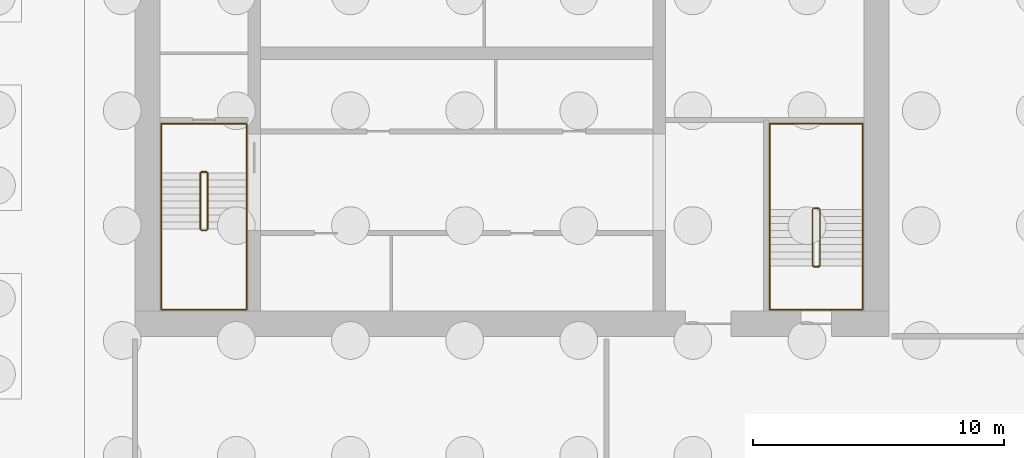
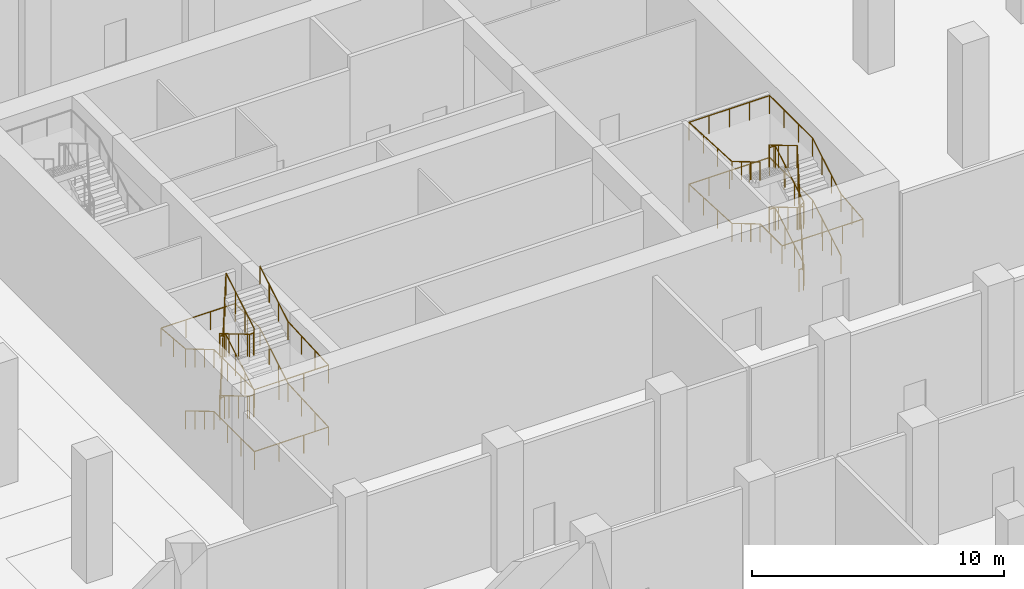
# One storey, part 27 of 39: 4 railings.
"""IFC4 building model written with IfcOpenShell, lengths in metres."""

from ifc_helpers import new_model, si_unit, direction, frame, origin, origin_2d, place, context, subcontext, project, spatial, circle, extrude, material, type_object, element, save


model = new_model("IFC4")

# Units and contexts
model_context = context("Model", 3, precision=1e-05, world=origin(), true_north=direction((0.0, 1.0)))
body_context = subcontext(model_context, "Body", "Model", "MODEL_VIEW")
ifc_project = project(units=[si_unit("LENGTHUNIT", "METRE"), si_unit("AREAUNIT", "SQUARE_METRE"), si_unit("VOLUMEUNIT", "CUBIC_METRE"), si_unit("PLANEANGLEUNIT", "RADIAN"), si_unit("MASSUNIT", "GRAM", prefix="KILO")], contexts=[model_context])

# Site, building, storey
site_placement = place(None, origin())
site = spatial("IfcSite", under=ifc_project, at=site_placement, CompositionType="ELEMENT")
building_placement = place(site_placement, origin())
building = spatial("IfcBuilding", under=site, at=building_placement, Name="Tamorin Gate", CompositionType="ELEMENT")
storey_placement = place(building_placement, frame((0.0, 0.0, -12.0)))
storey = spatial("IfcBuildingStorey", under=building, at=storey_placement, Name="B2", CompositionType="ELEMENT", Elevation=-12.0)

# Railings
ifc_material_1 = material(Name="Painted steel balustrade", Category="steel")
railing_type_1 = type_object("IfcRailingType", Name="Stair guard 1100", PredefinedType="GUARDRAIL", material=ifc_material_1)
railing_1_placement = place(storey_placement, frame((32.60009765625, 66.5, 0.166748046875)))
element("IfcRailing", 1, at=railing_1_placement, inside=storey, type_object=railing_type_1, Name="B2 ST1 stair guard 1", PredefinedType="GUARDRAIL", context=body_context, shape_type="SweptSolid", body=[
    extrude(circle(Radius=0.02392578125, at=origin_2d()), frame((0.0, 0.0, 1.076171875), z_axis=(0.0, -0.859305625298, 0.511462454469), x_axis=(1.0, 0.0, 0.0)), (0.0, 0.0, 1.0), 2.606689453125),
    extrude(circle(Radius=0.02392578125, at=origin_2d()), frame((0.0, -2.239990234375, 2.4091796875), z_axis=(0.705375805398, -0.708833529934, 0.0), x_axis=(0.708833529934, 0.705375805398, 0.0)), (0.0, 0.0, 1.0), 0.070556640625),
    extrude(circle(Radius=0.02392578125, at=origin_2d()), frame((0.0498046875, -2.2900390625, 2.4091796875), z_axis=(1.0, 0.0, 0.0), x_axis=(0.0, 1.0, 0.0)), (0.0, 0.0, 1.0), 0.2001953125),
    extrude(circle(Radius=0.02392578125, at=origin_2d()), frame((0.25, -2.2900390625, 2.4091796875), z_axis=(0.275041040955, 0.276389281352, 0.920848191041), x_axis=(-0.708833529934, 0.705375805398, 0.0)), (0.0, 0.0, 1.0), 0.18115234375),
    extrude(circle(Radius=0.02392578125, at=origin_2d()), frame((0.2998046875, -2.239990234375, 2.576171875), z_axis=(0.0, 0.859305625298, 0.511462454469), x_axis=(-1.0, 0.0, 0.0)), (0.0, 0.0, 1.0), 2.606689453125),
    extrude(circle(Radius=0.02392578125, at=origin_2d()), frame((0.2998046875, 0.0, 3.9091796875), z_axis=(-0.98054382908, 0.196300278283, 0.0), x_axis=(-0.196300278283, -0.98054382908, 0.0)), (0.0, 0.0, 1.0), 0.2548828125),
    extrude(circle(Radius=0.02392578125, at=origin_2d()), frame((0.0498046875, 0.050048828125, 3.9091796875), z_axis=(1.0, 0.0, 0.0), x_axis=(0.0, 1.0, 0.0)), (0.0, 0.0, 1.0), 0.2001953125),
    extrude(circle(Radius=0.02392578125, at=origin_2d()), frame((0.25, 0.050048828125, 3.9091796875), z_axis=(-0.820621892478, -0.164284656209, 0.547348391174), x_axis=(0.196300278283, -0.98054382908, 0.0)), (0.0, 0.0, 1.0), 0.3046875),
    extrude(circle(Radius=0.02392578125, at=origin_2d()), frame((0.0, 0.0, 4.076171875), z_axis=(0.0, -0.859305625298, 0.511462454469), x_axis=(1.0, 0.0, 0.0)), (0.0, 0.0, 1.0), 2.606689453125),
    extrude(circle(Radius=0.02392578125, at=origin_2d()), frame((0.0, -2.239990234375, 5.4091796875), z_axis=(0.705375805398, -0.708833529934, 0.0), x_axis=(0.708833529934, 0.705375805398, 0.0)), (0.0, 0.0, 1.0), 0.070556640625),
    extrude(circle(Radius=0.02392578125, at=origin_2d()), frame((0.0498046875, -2.2900390625, 5.4091796875), z_axis=(1.0, 0.0, 0.0), x_axis=(0.0, 1.0, 0.0)), (0.0, 0.0, 1.0), 0.2001953125),
    extrude(circle(Radius=0.02392578125, at=origin_2d()), frame((0.25, -2.2900390625, 5.4091796875), z_axis=(0.275041040955, 0.276389281352, 0.920848191041), x_axis=(-0.708833529934, 0.705375805398, 0.0)), (0.0, 0.0, 1.0), 0.18115234375),
    extrude(circle(Radius=0.02392578125, at=origin_2d()), frame((0.2998046875, -2.239990234375, 5.576171875), z_axis=(0.0, 0.859305625298, 0.511462454469), x_axis=(-1.0, 0.0, 0.0)), (0.0, 0.0, 1.0), 2.606689453125),
    extrude(circle(Radius=0.02392578125, at=origin_2d()), frame((0.2998046875, 0.0, 6.9091796875), z_axis=(-0.041629098968, 0.008333950477, -0.999098375231), x_axis=(-0.196300278283, -0.98054382908, 0.0)), (0.0, 0.0, 1.0), 6.00537109375),
    extrude(circle(Radius=0.02392578125, at=origin_2d()), frame((0.0498046875, 0.050048828125, 0.9091796875), z_axis=(1.0, 0.0, 0.0), x_axis=(0.0, 1.0, 0.0)), (0.0, 0.0, 1.0), 0.2001953125),
    extrude(circle(Radius=0.02099609375, at=origin_2d()), origin(), (0.0, 0.0, 1.0), 1.052001953125),
    extrude(circle(Radius=0.02099609375, at=origin_2d()), frame((0.0, -0.74658203125, 0.4443359375)), (0.0, 0.0, 1.0), 1.052001953125),
    extrude(circle(Radius=0.02099609375, at=origin_2d()), frame((0.0, -1.493408203125, 0.888916015625)), (0.0, 0.0, 1.0), 1.052001953125),
    extrude(circle(Radius=0.02099609375, at=origin_2d()), frame((0.0, -2.239990234375, 1.333251953125)), (0.0, 0.0, 1.0), 1.052001953125),
    extrude(circle(Radius=0.02099609375, at=origin_2d()), frame((0.0498046875, -2.2900390625, 1.333251953125)), (0.0, 0.0, 1.0), 1.052001953125),
    extrude(circle(Radius=0.02099609375, at=origin_2d()), frame((0.25, -2.2900390625, 1.333251953125)), (0.0, 0.0, 1.0), 1.052001953125),
    extrude(circle(Radius=0.02099609375, at=origin_2d()), frame((0.2998046875, -2.239990234375, 1.5)), (0.0, 0.0, 1.0), 1.052001953125),
    extrude(circle(Radius=0.02099609375, at=origin_2d()), frame((0.2998046875, -1.493408203125, 1.9443359375)), (0.0, 0.0, 1.0), 1.052001953125),
    extrude(circle(Radius=0.02099609375, at=origin_2d()), frame((0.2998046875, -0.74658203125, 2.388916015625)), (0.0, 0.0, 1.0), 1.052001953125),
    extrude(circle(Radius=0.02099609375, at=origin_2d()), frame((0.2998046875, 0.0, 2.833251953125)), (0.0, 0.0, 1.0), 1.052001953125),
    extrude(circle(Radius=0.02099609375, at=origin_2d()), frame((0.0498046875, 0.050048828125, 2.833251953125)), (0.0, 0.0, 1.0), 1.052001953125),
    extrude(circle(Radius=0.02099609375, at=origin_2d()), frame((0.25, 0.050048828125, 2.833251953125)), (0.0, 0.0, 1.0), 1.052001953125),
    extrude(circle(Radius=0.02099609375, at=origin_2d()), frame((0.0, 0.0, 3.0)), (0.0, 0.0, 1.0), 1.052001953125),
    extrude(circle(Radius=0.02099609375, at=origin_2d()), frame((0.0, -0.74658203125, 3.4443359375)), (0.0, 0.0, 1.0), 1.052001953125),
    extrude(circle(Radius=0.02099609375, at=origin_2d()), frame((0.0, -1.493408203125, 3.888916015625)), (0.0, 0.0, 1.0), 1.052001953125),
    extrude(circle(Radius=0.02099609375, at=origin_2d()), frame((0.0, -2.239990234375, 4.333251953125)), (0.0, 0.0, 1.0), 1.052001953125),
    extrude(circle(Radius=0.02099609375, at=origin_2d()), frame((0.0498046875, -2.2900390625, 4.333251953125)), (0.0, 0.0, 1.0), 1.052001953125),
    extrude(circle(Radius=0.02099609375, at=origin_2d()), frame((0.25, -2.2900390625, 4.333251953125)), (0.0, 0.0, 1.0), 1.052001953125),
    extrude(circle(Radius=0.02099609375, at=origin_2d()), frame((0.2998046875, -2.239990234375, 4.5)), (0.0, 0.0, 1.0), 1.052001953125),
    extrude(circle(Radius=0.02099609375, at=origin_2d()), frame((0.2998046875, -1.493408203125, 4.9443359375)), (0.0, 0.0, 1.0), 1.052001953125),
    extrude(circle(Radius=0.02099609375, at=origin_2d()), frame((0.2998046875, -0.74658203125, 5.388916015625)), (0.0, 0.0, 1.0), 1.052001953125),
    extrude(circle(Radius=0.02099609375, at=origin_2d()), frame((0.2998046875, 0.0, 5.833251953125)), (0.0, 0.0, 1.0), 1.052001953125),
    extrude(circle(Radius=0.02099609375, at=origin_2d()), frame((0.258056640625, 0.00830078125, 4.833251953125)), (0.0, 0.0, 1.0), 1.052001953125),
    extrude(circle(Radius=0.02099609375, at=origin_2d()), frame((0.216552734375, 0.0166015625, 3.833251953125)), (0.0, 0.0, 1.0), 1.052001953125),
    extrude(circle(Radius=0.02099609375, at=origin_2d()), frame((0.1748046875, 0.02490234375, 2.833251953125)), (0.0, 0.0, 1.0), 1.052001953125),
    extrude(circle(Radius=0.02099609375, at=origin_2d()), frame((0.133056640625, 0.033447265625, 1.833251953125)), (0.0, 0.0, 1.0), 1.052001953125),
    extrude(circle(Radius=0.02099609375, at=origin_2d()), frame((0.091552734375, 0.041748046875, 0.833251953125)), (0.0, 0.0, 1.0), 1.052001953125),
    extrude(circle(Radius=0.02099609375, at=origin_2d()), frame((0.0498046875, 0.050048828125, -0.166748046875)), (0.0, 0.0, 1.0), 1.052001953125),
    extrude(circle(Radius=0.02099609375, at=origin_2d()), frame((0.25, 0.050048828125, -0.166748046875)), (0.0, 0.0, 1.0), 1.052001953125),
])
railing_2_placement = place(storey_placement, frame((57.25, 62.800048828125, 0.166748046875)))
element("IfcRailing", 2, at=railing_2_placement, inside=storey, type_object=railing_type_1, Name="B2 ST3 stair guard 1", PredefinedType="GUARDRAIL", context=body_context, shape_type="SweptSolid", body=[
    extrude(circle(Radius=0.02392578125, at=origin_2d()), frame((0.0, 0.0, 1.076171875), z_axis=(0.0, 0.859305625298, 0.511462454469), x_axis=(-1.0, 0.0, 0.0)), (0.0, 0.0, 1.0), 2.606689453125),
    extrude(circle(Radius=0.02392578125, at=origin_2d()), frame((0.0, 2.239990234375, 2.4091796875), z_axis=(-0.707106781187, 0.707106781187, 0.0), x_axis=(-0.707106781187, -0.707106781187, 0.0)), (0.0, 0.0, 1.0), 0.07080078125),
    extrude(circle(Radius=0.02392578125, at=origin_2d()), frame((-0.050048828125, 2.2900390625, 2.4091796875), z_axis=(-1.0, 0.0, 0.0), x_axis=(0.0, -1.0, 0.0)), (0.0, 0.0, 1.0), 0.199951171875),
    extrude(circle(Radius=0.02392578125, at=origin_2d()), frame((-0.25, 2.2900390625, 2.4091796875), z_axis=(-0.27628659633, -0.27628659633, 0.920506074601), x_axis=(0.707106781187, -0.707106781187, 0.0)), (0.0, 0.0, 1.0), 0.18115234375),
    extrude(circle(Radius=0.02392578125, at=origin_2d()), frame((-0.300048828125, 2.239990234375, 2.576171875), z_axis=(0.0, -0.859305625298, 0.511462454469), x_axis=(1.0, 0.0, 0.0)), (0.0, 0.0, 1.0), 2.606689453125),
    extrude(circle(Radius=0.02392578125, at=origin_2d()), frame((-0.300048828125, 0.0, 3.9091796875), z_axis=(0.98054382908, -0.196300278283, 0.0), x_axis=(0.196300278283, 0.98054382908, 0.0)), (0.0, 0.0, 1.0), 0.2548828125),
    extrude(circle(Radius=0.02392578125, at=origin_2d()), frame((-0.050048828125, -0.050048828125, 3.9091796875), z_axis=(-1.0, 0.0, 0.0), x_axis=(0.0, -1.0, 0.0)), (0.0, 0.0, 1.0), 0.199951171875),
    extrude(circle(Radius=0.02392578125, at=origin_2d()), frame((-0.25, -0.050048828125, 3.9091796875), z_axis=(0.820621892478, 0.164284656209, 0.547348391174), x_axis=(-0.196300278283, 0.98054382908, 0.0)), (0.0, 0.0, 1.0), 0.3046875),
    extrude(circle(Radius=0.02392578125, at=origin_2d()), frame((0.0, 0.0, 4.076171875), z_axis=(0.0, 0.859305625298, 0.511462454469), x_axis=(-1.0, 0.0, 0.0)), (0.0, 0.0, 1.0), 2.606689453125),
    extrude(circle(Radius=0.02392578125, at=origin_2d()), frame((0.0, 2.239990234375, 5.4091796875), z_axis=(-0.707106781187, 0.707106781187, 0.0), x_axis=(-0.707106781187, -0.707106781187, 0.0)), (0.0, 0.0, 1.0), 0.07080078125),
    extrude(circle(Radius=0.02392578125, at=origin_2d()), frame((-0.050048828125, 2.2900390625, 5.4091796875), z_axis=(-1.0, 0.0, 0.0), x_axis=(0.0, -1.0, 0.0)), (0.0, 0.0, 1.0), 0.199951171875),
    extrude(circle(Radius=0.02392578125, at=origin_2d()), frame((-0.25, 2.2900390625, 5.4091796875), z_axis=(-0.27628659633, -0.27628659633, 0.920506074601), x_axis=(0.707106781187, -0.707106781187, 0.0)), (0.0, 0.0, 1.0), 0.18115234375),
    extrude(circle(Radius=0.02392578125, at=origin_2d()), frame((-0.300048828125, 2.239990234375, 5.576171875), z_axis=(0.0, -0.859305625298, 0.511462454469), x_axis=(1.0, 0.0, 0.0)), (0.0, 0.0, 1.0), 2.606689453125),
    extrude(circle(Radius=0.02392578125, at=origin_2d()), frame((-0.300048828125, 0.0, 6.9091796875), z_axis=(0.041629098968, -0.008333950477, -0.999098375231), x_axis=(0.196300278283, 0.98054382908, 0.0)), (0.0, 0.0, 1.0), 6.00537109375),
    extrude(circle(Radius=0.02392578125, at=origin_2d()), frame((-0.050048828125, -0.050048828125, 0.9091796875), z_axis=(-1.0, 0.0, 0.0), x_axis=(0.0, -1.0, 0.0)), (0.0, 0.0, 1.0), 0.199951171875),
    extrude(circle(Radius=0.02099609375, at=origin_2d()), origin(), (0.0, 0.0, 1.0), 1.052001953125),
    extrude(circle(Radius=0.02099609375, at=origin_2d()), frame((0.0, 0.74658203125, 0.4443359375)), (0.0, 0.0, 1.0), 1.052001953125),
    extrude(circle(Radius=0.02099609375, at=origin_2d()), frame((0.0, 1.493408203125, 0.888916015625)), (0.0, 0.0, 1.0), 1.052001953125),
    extrude(circle(Radius=0.02099609375, at=origin_2d()), frame((0.0, 2.239990234375, 1.333251953125)), (0.0, 0.0, 1.0), 1.052001953125),
    extrude(circle(Radius=0.02099609375, at=origin_2d()), frame((-0.050048828125, 2.2900390625, 1.333251953125)), (0.0, 0.0, 1.0), 1.052001953125),
    extrude(circle(Radius=0.02099609375, at=origin_2d()), frame((-0.25, 2.2900390625, 1.333251953125)), (0.0, 0.0, 1.0), 1.052001953125),
    extrude(circle(Radius=0.02099609375, at=origin_2d()), frame((-0.300048828125, 2.239990234375, 1.5)), (0.0, 0.0, 1.0), 1.052001953125),
    extrude(circle(Radius=0.02099609375, at=origin_2d()), frame((-0.300048828125, 1.493408203125, 1.9443359375)), (0.0, 0.0, 1.0), 1.052001953125),
    extrude(circle(Radius=0.02099609375, at=origin_2d()), frame((-0.300048828125, 0.74658203125, 2.388916015625)), (0.0, 0.0, 1.0), 1.052001953125),
    extrude(circle(Radius=0.02099609375, at=origin_2d()), frame((-0.300048828125, 0.0, 2.833251953125)), (0.0, 0.0, 1.0), 1.052001953125),
    extrude(circle(Radius=0.02099609375, at=origin_2d()), frame((-0.050048828125, -0.050048828125, 2.833251953125)), (0.0, 0.0, 1.0), 1.052001953125),
    extrude(circle(Radius=0.02099609375, at=origin_2d()), frame((-0.25, -0.050048828125, 2.833251953125)), (0.0, 0.0, 1.0), 1.052001953125),
    extrude(circle(Radius=0.02099609375, at=origin_2d()), frame((0.0, 0.0, 3.0)), (0.0, 0.0, 1.0), 1.052001953125),
    extrude(circle(Radius=0.02099609375, at=origin_2d()), frame((0.0, 0.74658203125, 3.4443359375)), (0.0, 0.0, 1.0), 1.052001953125),
    extrude(circle(Radius=0.02099609375, at=origin_2d()), frame((0.0, 1.493408203125, 3.888916015625)), (0.0, 0.0, 1.0), 1.052001953125),
    extrude(circle(Radius=0.02099609375, at=origin_2d()), frame((0.0, 2.239990234375, 4.333251953125)), (0.0, 0.0, 1.0), 1.052001953125),
    extrude(circle(Radius=0.02099609375, at=origin_2d()), frame((-0.050048828125, 2.2900390625, 4.333251953125)), (0.0, 0.0, 1.0), 1.052001953125),
    extrude(circle(Radius=0.02099609375, at=origin_2d()), frame((-0.25, 2.2900390625, 4.333251953125)), (0.0, 0.0, 1.0), 1.052001953125),
    extrude(circle(Radius=0.02099609375, at=origin_2d()), frame((-0.300048828125, 2.239990234375, 4.5)), (0.0, 0.0, 1.0), 1.052001953125),
    extrude(circle(Radius=0.02099609375, at=origin_2d()), frame((-0.300048828125, 1.493408203125, 4.9443359375)), (0.0, 0.0, 1.0), 1.052001953125),
    extrude(circle(Radius=0.02099609375, at=origin_2d()), frame((-0.300048828125, 0.74658203125, 5.388916015625)), (0.0, 0.0, 1.0), 1.052001953125),
    extrude(circle(Radius=0.02099609375, at=origin_2d()), frame((-0.300048828125, 0.0, 5.833251953125)), (0.0, 0.0, 1.0), 1.052001953125),
    extrude(circle(Radius=0.02099609375, at=origin_2d()), frame((-0.25830078125, -0.00830078125, 4.833251953125)), (0.0, 0.0, 1.0), 1.052001953125),
    extrude(circle(Radius=0.02099609375, at=origin_2d()), frame((-0.216796875, -0.0166015625, 3.833251953125)), (0.0, 0.0, 1.0), 1.052001953125),
    extrude(circle(Radius=0.02099609375, at=origin_2d()), frame((-0.175048828125, -0.02490234375, 2.833251953125)), (0.0, 0.0, 1.0), 1.052001953125),
    extrude(circle(Radius=0.02099609375, at=origin_2d()), frame((-0.13330078125, -0.033447265625, 1.833251953125)), (0.0, 0.0, 1.0), 1.052001953125),
    extrude(circle(Radius=0.02099609375, at=origin_2d()), frame((-0.091796875, -0.041748046875, 0.833251953125)), (0.0, 0.0, 1.0), 1.052001953125),
    extrude(circle(Radius=0.02099609375, at=origin_2d()), frame((-0.050048828125, -0.050048828125, -0.166748046875)), (0.0, 0.0, 1.0), 1.052001953125),
    extrude(circle(Radius=0.02099609375, at=origin_2d()), frame((-0.25, -0.050048828125, -0.166748046875)), (0.0, 0.0, 1.0), 1.052001953125),
])
ifc_material_2 = material(Name="Painted steel handrail", Category="steel")
railing_type_2 = type_object("IfcRailingType", Name="Stair handrail 900", PredefinedType="HANDRAIL", material=ifc_material_2)
railing_3_placement = place(storey_placement, frame((31.050048828125, 66.5, 0.166748046875)))
element("IfcRailing", 3, at=railing_3_placement, inside=storey, type_object=railing_type_2, Name="B2 ST1 stair handrail 1", PredefinedType="HANDRAIL", context=body_context, shape_type="SweptSolid", body=[
    extrude(circle(Radius=0.02392578125, at=origin_2d()), frame((0.0, 0.0, 0.8759765625), z_axis=(0.0, -0.859305625298, 0.511462454469), x_axis=(1.0, 0.0, 0.0)), (0.0, 0.0, 1.0), 2.606689453125),
    extrude(circle(Radius=0.02392578125, at=origin_2d()), frame((0.0, -2.239990234375, 2.208984375), z_axis=(0.0, -1.0, 0.0), x_axis=(1.0, 0.0, 0.0)), (0.0, 0.0, 1.0), 3.2099609375),
    extrude(circle(Radius=0.02392578125, at=origin_2d()), frame((0.0, -5.449951171875, 2.208984375), z_axis=(1.0, 0.0, 0.0), x_axis=(0.0, 1.0, 0.0)), (0.0, 0.0, 1.0), 3.39990234375),
    extrude(circle(Radius=0.02392578125, at=origin_2d()), frame((3.39990234375, -5.449951171875, 2.208984375), z_axis=(0.0, 0.998653475843, 0.051877116215), x_axis=(-1.0, 0.0, 0.0)), (0.0, 0.0, 1.0), 3.21435546875),
    extrude(circle(Radius=0.02392578125, at=origin_2d()), frame((3.39990234375, -2.239990234375, 2.3759765625), z_axis=(0.0, 0.859305625298, 0.511462454469), x_axis=(-1.0, 0.0, 0.0)), (0.0, 0.0, 1.0), 2.606689453125),
    extrude(circle(Radius=0.02392578125, at=origin_2d()), frame((3.39990234375, 0.0, 3.708984375), z_axis=(0.0, 1.0, 0.0), x_axis=(-1.0, 0.0, 0.0)), (0.0, 0.0, 1.0), 1.949951171875),
    extrude(circle(Radius=0.02392578125, at=origin_2d()), frame((3.39990234375, 1.949951171875, 3.708984375), z_axis=(-1.0, 0.0, 0.0), x_axis=(0.0, -1.0, 0.0)), (0.0, 0.0, 1.0), 3.39990234375),
    extrude(circle(Radius=0.02392578125, at=origin_2d()), frame((0.0, 1.949951171875, 3.708984375), z_axis=(0.0, -0.996363612883, 0.085202998322), x_axis=(1.0, 0.0, 0.0)), (0.0, 0.0, 1.0), 1.95703125),
    extrude(circle(Radius=0.02392578125, at=origin_2d()), frame((0.0, 0.0, 3.8759765625), z_axis=(0.0, -0.859305625298, 0.511462454469), x_axis=(1.0, 0.0, 0.0)), (0.0, 0.0, 1.0), 2.606689453125),
    extrude(circle(Radius=0.02392578125, at=origin_2d()), frame((0.0, -2.239990234375, 5.208984375), z_axis=(0.0, -1.0, 0.0), x_axis=(1.0, 0.0, 0.0)), (0.0, 0.0, 1.0), 3.2099609375),
    extrude(circle(Radius=0.02392578125, at=origin_2d()), frame((0.0, -5.449951171875, 5.208984375), z_axis=(1.0, 0.0, 0.0), x_axis=(0.0, 1.0, 0.0)), (0.0, 0.0, 1.0), 3.39990234375),
    extrude(circle(Radius=0.02392578125, at=origin_2d()), frame((3.39990234375, -5.449951171875, 5.208984375), z_axis=(0.0, 0.998653475843, 0.051877116215), x_axis=(-1.0, 0.0, 0.0)), (0.0, 0.0, 1.0), 3.21435546875),
    extrude(circle(Radius=0.02392578125, at=origin_2d()), frame((3.39990234375, -2.239990234375, 5.3759765625), z_axis=(0.0, 0.859305625298, 0.511462454469), x_axis=(-1.0, 0.0, 0.0)), (0.0, 0.0, 1.0), 2.606689453125),
    extrude(circle(Radius=0.02099609375, at=origin_2d()), origin(), (0.0, 0.0, 1.0), 0.851806640625),
    extrude(circle(Radius=0.02099609375, at=origin_2d()), frame((0.0, -0.74658203125, 0.4443359375)), (0.0, 0.0, 1.0), 0.851806640625),
    extrude(circle(Radius=0.02099609375, at=origin_2d()), frame((0.0, -1.493408203125, 0.888916015625)), (0.0, 0.0, 1.0), 0.851806640625),
    extrude(circle(Radius=0.02099609375, at=origin_2d()), frame((0.0, -2.239990234375, 1.333251953125)), (0.0, 0.0, 1.0), 0.851806640625),
    extrude(circle(Radius=0.02099609375, at=origin_2d()), frame((0.0, -3.31005859375, 1.333251953125)), (0.0, 0.0, 1.0), 0.851806640625),
    extrude(circle(Radius=0.02099609375, at=origin_2d()), frame((0.0, -4.3798828125, 1.333251953125)), (0.0, 0.0, 1.0), 0.851806640625),
    extrude(circle(Radius=0.02099609375, at=origin_2d()), frame((0.0, -5.449951171875, 1.333251953125)), (0.0, 0.0, 1.0), 0.851806640625),
    extrude(circle(Radius=0.02099609375, at=origin_2d()), frame((1.13330078125, -5.449951171875, 1.333251953125)), (0.0, 0.0, 1.0), 0.851806640625),
    extrude(circle(Radius=0.02099609375, at=origin_2d()), frame((2.2666015625, -5.449951171875, 1.333251953125)), (0.0, 0.0, 1.0), 0.851806640625),
    extrude(circle(Radius=0.02099609375, at=origin_2d()), frame((3.39990234375, -5.449951171875, 1.333251953125)), (0.0, 0.0, 1.0), 0.851806640625),
    extrude(circle(Radius=0.02099609375, at=origin_2d()), frame((3.39990234375, -4.3798828125, 1.388916015625)), (0.0, 0.0, 1.0), 0.851806640625),
    extrude(circle(Radius=0.02099609375, at=origin_2d()), frame((3.39990234375, -3.31005859375, 1.4443359375)), (0.0, 0.0, 1.0), 0.851806640625),
    extrude(circle(Radius=0.02099609375, at=origin_2d()), frame((3.39990234375, -2.239990234375, 1.5)), (0.0, 0.0, 1.0), 0.851806640625),
    extrude(circle(Radius=0.02099609375, at=origin_2d()), frame((3.39990234375, -1.493408203125, 1.9443359375)), (0.0, 0.0, 1.0), 0.851806640625),
    extrude(circle(Radius=0.02099609375, at=origin_2d()), frame((3.39990234375, -0.74658203125, 2.388916015625)), (0.0, 0.0, 1.0), 0.851806640625),
    extrude(circle(Radius=0.02099609375, at=origin_2d()), frame((3.39990234375, 0.0, 2.833251953125)), (0.0, 0.0, 1.0), 0.851806640625),
    extrude(circle(Radius=0.02099609375, at=origin_2d()), frame((3.39990234375, 0.97509765625, 2.833251953125)), (0.0, 0.0, 1.0), 0.851806640625),
    extrude(circle(Radius=0.02099609375, at=origin_2d()), frame((3.39990234375, 1.949951171875, 2.833251953125)), (0.0, 0.0, 1.0), 0.851806640625),
    extrude(circle(Radius=0.02099609375, at=origin_2d()), frame((2.2666015625, 1.949951171875, 2.833251953125)), (0.0, 0.0, 1.0), 0.851806640625),
    extrude(circle(Radius=0.02099609375, at=origin_2d()), frame((1.13330078125, 1.949951171875, 2.833251953125)), (0.0, 0.0, 1.0), 0.851806640625),
    extrude(circle(Radius=0.02099609375, at=origin_2d()), frame((0.0, 1.949951171875, 2.833251953125)), (0.0, 0.0, 1.0), 0.851806640625),
    extrude(circle(Radius=0.02099609375, at=origin_2d()), frame((0.0, 0.97509765625, 2.91650390625)), (0.0, 0.0, 1.0), 0.851806640625),
    extrude(circle(Radius=0.02099609375, at=origin_2d()), frame((0.0, 0.0, 3.0)), (0.0, 0.0, 1.0), 0.851806640625),
    extrude(circle(Radius=0.02099609375, at=origin_2d()), frame((0.0, -0.74658203125, 3.4443359375)), (0.0, 0.0, 1.0), 0.851806640625),
    extrude(circle(Radius=0.02099609375, at=origin_2d()), frame((0.0, -1.493408203125, 3.888916015625)), (0.0, 0.0, 1.0), 0.851806640625),
    extrude(circle(Radius=0.02099609375, at=origin_2d()), frame((0.0, -2.239990234375, 4.333251953125)), (0.0, 0.0, 1.0), 0.851806640625),
    extrude(circle(Radius=0.02099609375, at=origin_2d()), frame((0.0, -3.31005859375, 4.333251953125)), (0.0, 0.0, 1.0), 0.851806640625),
    extrude(circle(Radius=0.02099609375, at=origin_2d()), frame((0.0, -4.3798828125, 4.333251953125)), (0.0, 0.0, 1.0), 0.851806640625),
    extrude(circle(Radius=0.02099609375, at=origin_2d()), frame((0.0, -5.449951171875, 4.333251953125)), (0.0, 0.0, 1.0), 0.851806640625),
    extrude(circle(Radius=0.02099609375, at=origin_2d()), frame((1.13330078125, -5.449951171875, 4.333251953125)), (0.0, 0.0, 1.0), 0.851806640625),
    extrude(circle(Radius=0.02099609375, at=origin_2d()), frame((2.2666015625, -5.449951171875, 4.333251953125)), (0.0, 0.0, 1.0), 0.851806640625),
    extrude(circle(Radius=0.02099609375, at=origin_2d()), frame((3.39990234375, -5.449951171875, 4.333251953125)), (0.0, 0.0, 1.0), 0.851806640625),
    extrude(circle(Radius=0.02099609375, at=origin_2d()), frame((3.39990234375, -4.3798828125, 4.388916015625)), (0.0, 0.0, 1.0), 0.851806640625),
    extrude(circle(Radius=0.02099609375, at=origin_2d()), frame((3.39990234375, -3.31005859375, 4.4443359375)), (0.0, 0.0, 1.0), 0.851806640625),
    extrude(circle(Radius=0.02099609375, at=origin_2d()), frame((3.39990234375, -2.239990234375, 4.5)), (0.0, 0.0, 1.0), 0.851806640625),
    extrude(circle(Radius=0.02099609375, at=origin_2d()), frame((3.39990234375, -1.493408203125, 4.9443359375)), (0.0, 0.0, 1.0), 0.851806640625),
    extrude(circle(Radius=0.02099609375, at=origin_2d()), frame((3.39990234375, -0.74658203125, 5.388916015625)), (0.0, 0.0, 1.0), 0.851806640625),
    extrude(circle(Radius=0.02099609375, at=origin_2d()), frame((3.39990234375, 0.0, 5.833251953125)), (0.0, 0.0, 1.0), 0.851806640625),
])
railing_4_placement = place(storey_placement, frame((58.949951171875, 62.800048828125, 0.166748046875)))
element("IfcRailing", 4, at=railing_4_placement, inside=storey, type_object=railing_type_2, Name="B2 ST3 stair handrail 1", PredefinedType="HANDRAIL", context=body_context, shape_type="SweptSolid", body=[
    extrude(circle(Radius=0.02392578125, at=origin_2d()), frame((0.0, 0.0, 0.8759765625), z_axis=(0.0, 0.859305625298, 0.511462454469), x_axis=(-1.0, 0.0, 0.0)), (0.0, 0.0, 1.0), 2.606689453125),
    extrude(circle(Radius=0.02392578125, at=origin_2d()), frame((0.0, 2.239990234375, 2.208984375), z_axis=(0.0, 1.0, 0.0), x_axis=(-1.0, 0.0, 0.0)), (0.0, 0.0, 1.0), 3.409912109375),
    extrude(circle(Radius=0.02392578125, at=origin_2d()), frame((0.0, 5.64990234375, 2.208984375), z_axis=(-1.0, 0.0, 0.0), x_axis=(0.0, -1.0, 0.0)), (0.0, 0.0, 1.0), 3.699951171875),
    extrude(circle(Radius=0.02392578125, at=origin_2d()), frame((-3.699951171875, 5.64990234375, 2.208984375), z_axis=(0.0, -0.998806487149, 0.048842616934), x_axis=(1.0, 0.0, 0.0)), (0.0, 0.0, 1.0), 3.4140625),
    extrude(circle(Radius=0.02392578125, at=origin_2d()), frame((-3.699951171875, 2.239990234375, 2.3759765625), z_axis=(0.0, -0.859305625298, 0.511462454469), x_axis=(1.0, 0.0, 0.0)), (0.0, 0.0, 1.0), 2.606689453125),
    extrude(circle(Radius=0.02392578125, at=origin_2d()), frame((-3.699951171875, 0.0, 3.708984375), z_axis=(0.0, -1.0, 0.0), x_axis=(1.0, 0.0, 0.0)), (0.0, 0.0, 1.0), 1.75),
    extrude(circle(Radius=0.02392578125, at=origin_2d()), frame((-3.699951171875, -1.75, 3.708984375), z_axis=(1.0, 0.0, 0.0), x_axis=(0.0, 1.0, 0.0)), (0.0, 0.0, 1.0), 3.699951171875),
    extrude(circle(Radius=0.02392578125, at=origin_2d()), frame((0.0, -1.75, 3.708984375), z_axis=(0.0, 0.995491102282, 0.094854969707), x_axis=(-1.0, 0.0, 0.0)), (0.0, 0.0, 1.0), 1.7578125),
    extrude(circle(Radius=0.02392578125, at=origin_2d()), frame((0.0, 0.0, 3.8759765625), z_axis=(0.0, 0.859305625298, 0.511462454469), x_axis=(-1.0, 0.0, 0.0)), (0.0, 0.0, 1.0), 2.606689453125),
    extrude(circle(Radius=0.02392578125, at=origin_2d()), frame((0.0, 2.239990234375, 5.208984375), z_axis=(0.0, 1.0, 0.0), x_axis=(-1.0, 0.0, 0.0)), (0.0, 0.0, 1.0), 3.409912109375),
    extrude(circle(Radius=0.02392578125, at=origin_2d()), frame((0.0, 5.64990234375, 5.208984375), z_axis=(-1.0, 0.0, 0.0), x_axis=(0.0, -1.0, 0.0)), (0.0, 0.0, 1.0), 3.699951171875),
    extrude(circle(Radius=0.02392578125, at=origin_2d()), frame((-3.699951171875, 5.64990234375, 5.208984375), z_axis=(0.0, -0.998806487149, 0.048842616934), x_axis=(1.0, 0.0, 0.0)), (0.0, 0.0, 1.0), 3.4140625),
    extrude(circle(Radius=0.02392578125, at=origin_2d()), frame((-3.699951171875, 2.239990234375, 5.3759765625), z_axis=(0.0, -0.859305625298, 0.511462454469), x_axis=(1.0, 0.0, 0.0)), (0.0, 0.0, 1.0), 2.606689453125),
    extrude(circle(Radius=0.02099609375, at=origin_2d()), origin(), (0.0, 0.0, 1.0), 0.851806640625),
    extrude(circle(Radius=0.02099609375, at=origin_2d()), frame((0.0, 0.74658203125, 0.4443359375)), (0.0, 0.0, 1.0), 0.851806640625),
    extrude(circle(Radius=0.02099609375, at=origin_2d()), frame((0.0, 1.493408203125, 0.888916015625)), (0.0, 0.0, 1.0), 0.851806640625),
    extrude(circle(Radius=0.02099609375, at=origin_2d()), frame((0.0, 2.239990234375, 1.333251953125)), (0.0, 0.0, 1.0), 0.851806640625),
    extrude(circle(Radius=0.02099609375, at=origin_2d()), frame((0.0, 3.376708984375, 1.333251953125)), (0.0, 0.0, 1.0), 0.851806640625),
    extrude(circle(Radius=0.02099609375, at=origin_2d()), frame((0.0, 4.51318359375, 1.333251953125)), (0.0, 0.0, 1.0), 0.851806640625),
    extrude(circle(Radius=0.02099609375, at=origin_2d()), frame((0.0, 5.64990234375, 1.333251953125)), (0.0, 0.0, 1.0), 0.851806640625),
    extrude(circle(Radius=0.02099609375, at=origin_2d()), frame((-0.925048828125, 5.64990234375, 1.333251953125)), (0.0, 0.0, 1.0), 0.851806640625),
    extrude(circle(Radius=0.02099609375, at=origin_2d()), frame((-1.85009765625, 5.64990234375, 1.333251953125)), (0.0, 0.0, 1.0), 0.851806640625),
    extrude(circle(Radius=0.02099609375, at=origin_2d()), frame((-2.77490234375, 5.64990234375, 1.333251953125)), (0.0, 0.0, 1.0), 0.851806640625),
    extrude(circle(Radius=0.02099609375, at=origin_2d()), frame((-3.699951171875, 5.64990234375, 1.333251953125)), (0.0, 0.0, 1.0), 0.851806640625),
    extrude(circle(Radius=0.02099609375, at=origin_2d()), frame((-3.699951171875, 4.51318359375, 1.388916015625)), (0.0, 0.0, 1.0), 0.851806640625),
    extrude(circle(Radius=0.02099609375, at=origin_2d()), frame((-3.699951171875, 3.376708984375, 1.4443359375)), (0.0, 0.0, 1.0), 0.851806640625),
    extrude(circle(Radius=0.02099609375, at=origin_2d()), frame((-3.699951171875, 2.239990234375, 1.5)), (0.0, 0.0, 1.0), 0.851806640625),
    extrude(circle(Radius=0.02099609375, at=origin_2d()), frame((-3.699951171875, 1.493408203125, 1.9443359375)), (0.0, 0.0, 1.0), 0.851806640625),
    extrude(circle(Radius=0.02099609375, at=origin_2d()), frame((-3.699951171875, 0.74658203125, 2.388916015625)), (0.0, 0.0, 1.0), 0.851806640625),
    extrude(circle(Radius=0.02099609375, at=origin_2d()), frame((-3.699951171875, 0.0, 2.833251953125)), (0.0, 0.0, 1.0), 0.851806640625),
    extrude(circle(Radius=0.02099609375, at=origin_2d()), frame((-3.699951171875, -0.875, 2.833251953125)), (0.0, 0.0, 1.0), 0.851806640625),
    extrude(circle(Radius=0.02099609375, at=origin_2d()), frame((-3.699951171875, -1.75, 2.833251953125)), (0.0, 0.0, 1.0), 0.851806640625),
    extrude(circle(Radius=0.02099609375, at=origin_2d()), frame((-2.77490234375, -1.75, 2.833251953125)), (0.0, 0.0, 1.0), 0.851806640625),
    extrude(circle(Radius=0.02099609375, at=origin_2d()), frame((-1.85009765625, -1.75, 2.833251953125)), (0.0, 0.0, 1.0), 0.851806640625),
    extrude(circle(Radius=0.02099609375, at=origin_2d()), frame((-0.925048828125, -1.75, 2.833251953125)), (0.0, 0.0, 1.0), 0.851806640625),
    extrude(circle(Radius=0.02099609375, at=origin_2d()), frame((0.0, -1.75, 2.833251953125)), (0.0, 0.0, 1.0), 0.851806640625),
    extrude(circle(Radius=0.02099609375, at=origin_2d()), frame((0.0, -0.875, 2.91650390625)), (0.0, 0.0, 1.0), 0.851806640625),
    extrude(circle(Radius=0.02099609375, at=origin_2d()), frame((0.0, 0.0, 3.0)), (0.0, 0.0, 1.0), 0.851806640625),
    extrude(circle(Radius=0.02099609375, at=origin_2d()), frame((0.0, 0.74658203125, 3.4443359375)), (0.0, 0.0, 1.0), 0.851806640625),
    extrude(circle(Radius=0.02099609375, at=origin_2d()), frame((0.0, 1.493408203125, 3.888916015625)), (0.0, 0.0, 1.0), 0.851806640625),
    extrude(circle(Radius=0.02099609375, at=origin_2d()), frame((0.0, 2.239990234375, 4.333251953125)), (0.0, 0.0, 1.0), 0.851806640625),
    extrude(circle(Radius=0.02099609375, at=origin_2d()), frame((0.0, 3.376708984375, 4.333251953125)), (0.0, 0.0, 1.0), 0.851806640625),
    extrude(circle(Radius=0.02099609375, at=origin_2d()), frame((0.0, 4.51318359375, 4.333251953125)), (0.0, 0.0, 1.0), 0.851806640625),
    extrude(circle(Radius=0.02099609375, at=origin_2d()), frame((0.0, 5.64990234375, 4.333251953125)), (0.0, 0.0, 1.0), 0.851806640625),
    extrude(circle(Radius=0.02099609375, at=origin_2d()), frame((-0.925048828125, 5.64990234375, 4.333251953125)), (0.0, 0.0, 1.0), 0.851806640625),
    extrude(circle(Radius=0.02099609375, at=origin_2d()), frame((-1.85009765625, 5.64990234375, 4.333251953125)), (0.0, 0.0, 1.0), 0.851806640625),
    extrude(circle(Radius=0.02099609375, at=origin_2d()), frame((-2.77490234375, 5.64990234375, 4.333251953125)), (0.0, 0.0, 1.0), 0.851806640625),
    extrude(circle(Radius=0.02099609375, at=origin_2d()), frame((-3.699951171875, 5.64990234375, 4.333251953125)), (0.0, 0.0, 1.0), 0.851806640625),
    extrude(circle(Radius=0.02099609375, at=origin_2d()), frame((-3.699951171875, 4.51318359375, 4.388916015625)), (0.0, 0.0, 1.0), 0.851806640625),
    extrude(circle(Radius=0.02099609375, at=origin_2d()), frame((-3.699951171875, 3.376708984375, 4.4443359375)), (0.0, 0.0, 1.0), 0.851806640625),
    extrude(circle(Radius=0.02099609375, at=origin_2d()), frame((-3.699951171875, 2.239990234375, 4.5)), (0.0, 0.0, 1.0), 0.851806640625),
    extrude(circle(Radius=0.02099609375, at=origin_2d()), frame((-3.699951171875, 1.493408203125, 4.9443359375)), (0.0, 0.0, 1.0), 0.851806640625),
    extrude(circle(Radius=0.02099609375, at=origin_2d()), frame((-3.699951171875, 0.74658203125, 5.388916015625)), (0.0, 0.0, 1.0), 0.851806640625),
    extrude(circle(Radius=0.02099609375, at=origin_2d()), frame((-3.699951171875, 0.0, 5.833251953125)), (0.0, 0.0, 1.0), 0.851806640625),
])

save(model, "model.ifc")
